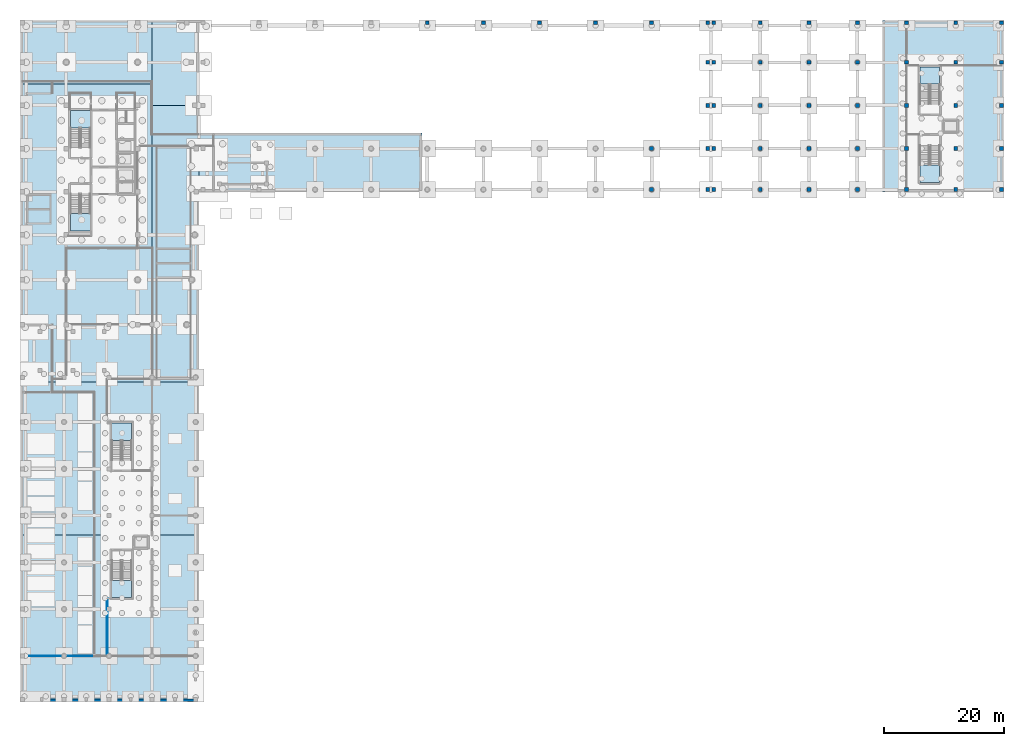
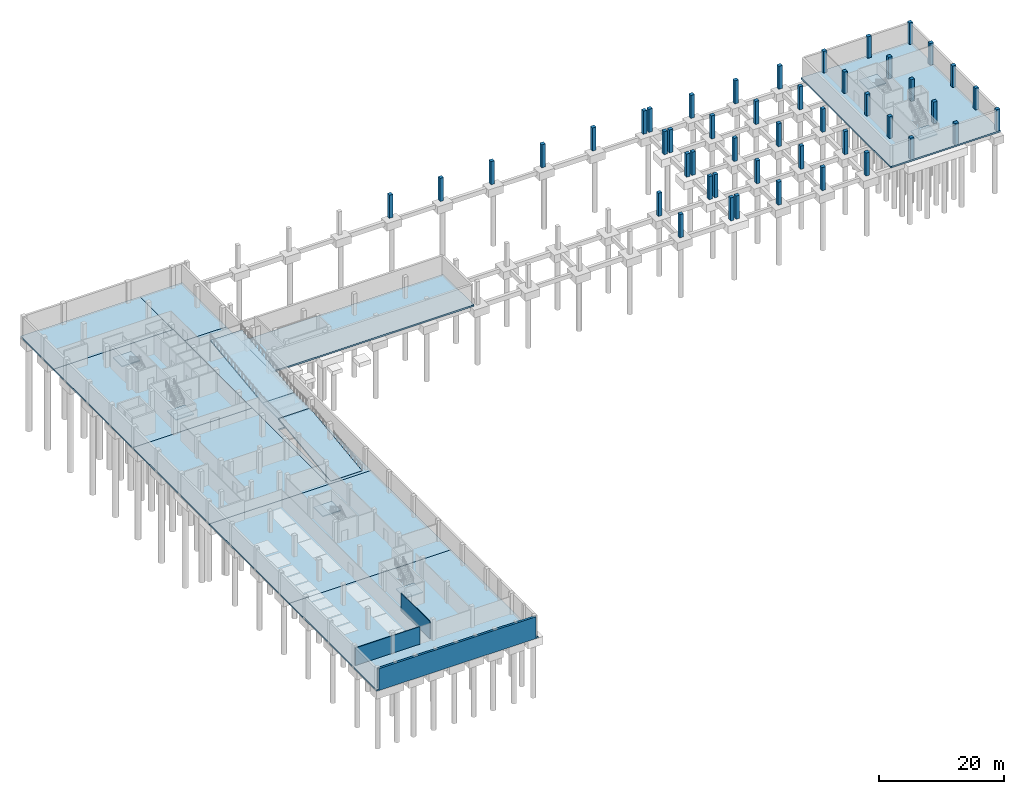
# One storey, part 9 of 21: 47 columns, 18 slabs, 3 walls, 6 elements without a shape of their own.
"""IFC4 building model written with IfcOpenShell, lengths in metres."""

import ifcopenshell
import ifcopenshell.guid

model = None  # the IFC model being written
_history = None  # IfcOwnerHistory: only IFC2X3 demands one
_inside = {}  # id of a spatial element -> (the spatial element, [elements in it])
_under = {}  # id of a project, library or spatial element -> (it, [spatial elements below it])
_declared = {}  # id of a project -> (the project, [libraries it declares])
_typed = {}  # id of a type object -> (the type object, [elements of that type])
_made_of = {}  # id of a material, layer set ... -> (it, [elements and type objects made of it])


def new_model(schema):
    """Start an empty IFC model of exactly this schema.

    Asked for "IFC4X3", IfcOpenShell would pick the latest addendum, in which some entities
    have other attributes; the version numbers below select the first issue.
    IFC2X3 requires an IfcOwnerHistory on every rooted entity: one is made here for all.
    """
    global model, _history
    if schema == "IFC4X3":
        model = ifcopenshell.file(schema_version=(4, 3, 0, 0))
    else:
        model = ifcopenshell.file(schema=schema)
    _inside.clear()
    _under.clear()
    _declared.clear()
    _typed.clear()
    _made_of.clear()
    _history = None
    if model.schema == "IFC2X3":
        org = make("IfcOrganization", Name="unknown")
        user = make(
            "IfcPersonAndOrganization",
            ThePerson=make("IfcPerson", FamilyName="unknown"),
            TheOrganization=org,
        )
        app = make(
            "IfcApplication",
            ApplicationDeveloper=org,
            Version="unknown",
            ApplicationFullName="unknown",
            ApplicationIdentifier="unknown",
        )
        _history = make(
            "IfcOwnerHistory",
            OwningUser=user,
            OwningApplication=app,
            ChangeAction="ADDED",
            CreationDate=0,
        )
    return model


def make(cls, **values):
    """One entity of the class cls with the attributes given. An attribute that is None is left unset."""
    return model.create_entity(
        cls, **{name: value for name, value in values.items() if value is not None}
    )


def rooted(cls, **values):
    """An entity with a GlobalId (a new one), such as an element, a storey or a relation."""
    return make(cls, GlobalId=ifcopenshell.guid.new(), OwnerHistory=_history, **values)


def si_unit(unit_type, name, prefix=None):
    """IfcSIUnit, for example si_unit("LENGTHUNIT", "METRE", prefix="MILLI")."""
    return make("IfcSIUnit", UnitType=unit_type, Prefix=prefix, Name=name)


def assignment(units):
    """IfcUnitAssignment: the units of a project."""
    return None if units is None else make("IfcUnitAssignment", Units=units)


def point(xyz):
    """IfcCartesianPoint."""
    return None if xyz is None else make("IfcCartesianPoint", Coordinates=xyz)


def direction(xyz):
    """IfcDirection."""
    return None if xyz is None else make("IfcDirection", DirectionRatios=xyz)


def frame(location, z_axis=None, x_axis=None):
    """IfcAxis2Placement3D, a coordinate frame: its origin and axes. An axis left out is left unset."""
    return make(
        "IfcAxis2Placement3D",
        Location=point(location),
        Axis=direction(z_axis),
        RefDirection=direction(x_axis),
    )


def frame_2d(location, x_axis=None):
    """IfcAxis2Placement2D, a coordinate frame in the plane: its origin and x axis."""
    return make(
        "IfcAxis2Placement2D", Location=point(location), RefDirection=direction(x_axis)
    )


def origin():
    """The frame at (0, 0, 0) with its axes left unset."""
    return frame((0.0, 0.0, 0.0))


def origin_2d():
    """The frame at (0, 0) in the plane with its x axis left unset."""
    return frame_2d((0.0, 0.0))


def place(relative_to, where):
    """IfcLocalPlacement: puts the frame where relative to a parent placement (None: the world)."""
    return make(
        "IfcLocalPlacement", PlacementRelTo=relative_to, RelativePlacement=where
    )


def context(
    kind, dimensions, precision=None, world=None, true_north=None, identifier=None
):
    """IfcGeometricRepresentationContext, for example the 3D "Model" context."""
    return make(
        "IfcGeometricRepresentationContext",
        ContextIdentifier=identifier,
        ContextType=kind,
        CoordinateSpaceDimension=dimensions,
        Precision=precision,
        WorldCoordinateSystem=world,
        TrueNorth=true_north,
    )


def subcontext(parent, identifier, kind, view, scale=None):
    """IfcGeometricRepresentationSubContext, for example "Body" below "Model"."""
    return make(
        "IfcGeometricRepresentationSubContext",
        ContextIdentifier=identifier,
        ContextType=kind,
        ParentContext=parent,
        TargetScale=scale,
        TargetView=view,
    )


def project(units=None, contexts=None):
    """IfcProject with its units and contexts."""
    return rooted(
        "IfcProject",
        Name="project",
        RepresentationContexts=contexts,
        UnitsInContext=assignment(units),
    )


def spatial(cls, under=None, at=None, **own):
    """A site, building, storey or space (cls), placed at a placement, below another one or the project."""
    s = rooted(cls, ObjectPlacement=at, **own)
    if under is not None:
        _under.setdefault(under.id(), (under, []))[1].append(s)
    return s


def polyline(points):
    """IfcPolyline through the points."""
    return make("IfcPolyline", Points=[point(p) for p in points])


def profile(cls, at=None, kind="AREA", **sizes):
    """A parametric profile (cls). Its sizes go by their IFC names, for example OverallWidth=200.0."""
    return make(cls, ProfileType=kind, Position=at, **sizes)


def rectangle(**sizes):
    """IfcRectangleProfileDef."""
    return profile("IfcRectangleProfileDef", **sizes)


def outline(outer, holes=None, kind="AREA"):
    """IfcArbitraryClosedProfileDef: a profile drawn as a closed curve; with holes, ...WithVoids."""
    if holes is None:
        return make("IfcArbitraryClosedProfileDef", ProfileType=kind, OuterCurve=outer)
    return make(
        "IfcArbitraryProfileDefWithVoids",
        ProfileType=kind,
        OuterCurve=outer,
        InnerCurves=holes,
    )


def extrude(swept, where, along, depth):
    """IfcExtrudedAreaSolid: the profile swept, set in the frame where, extruded along a direction by depth."""
    return make(
        "IfcExtrudedAreaSolid",
        SweptArea=swept,
        Position=where,
        ExtrudedDirection=direction(along),
        Depth=depth,
    )


def shape(context_of_items, identifier, shape_type, items):
    """IfcShapeRepresentation: the items that make up one representation, for example the "Body"."""
    return make(
        "IfcShapeRepresentation",
        ContextOfItems=context_of_items,
        RepresentationIdentifier=identifier,
        RepresentationType=shape_type,
        Items=items,
    )


def material(Name=None, Category=None):
    """IfcMaterial."""
    return make("IfcMaterial", Name=Name, Category=Category)


def layer(
    of_material, thickness, ventilated=None, Name=None, Category=None, Priority=None
):
    """IfcMaterialLayer: one layer of a wall or slab, of a material (None: an air gap)."""
    return make(
        "IfcMaterialLayer",
        Material=of_material,
        LayerThickness=thickness,
        IsVentilated=ventilated,
        Name=Name,
        Category=Category,
        Priority=Priority,
    )


def layer_set(layers, Name=None):
    """IfcMaterialLayerSet."""
    return make("IfcMaterialLayerSet", MaterialLayers=layers, LayerSetName=Name)


def material_profile(
    of_material, cross_section, Name=None, Category=None, Priority=None
):
    """IfcMaterialProfile: a cross section and its material."""
    return make(
        "IfcMaterialProfile",
        Name=Name,
        Material=of_material,
        Profile=cross_section,
        Priority=Priority,
        Category=Category,
    )


def profile_set(profiles, Name=None, composite=None):
    """IfcMaterialProfileSet."""
    return make(
        "IfcMaterialProfileSet",
        Name=Name,
        MaterialProfiles=profiles,
        CompositeProfile=composite,
    )


def made_of(thing, what):
    """Note that an element or type object is made of a material, layer set ...; save() writes the relation."""
    if what is not None:
        _made_of.setdefault(what.id(), (what, []))[1].append(thing)
    return thing


def type_object(cls, material=None, **own):
    """A type object (cls), such as IfcWallType, which elements share."""
    return made_of(rooted(cls, **own), material)


def element(
    cls,
    number,
    at=None,
    inside=None,
    cuts=None,
    type_object=None,
    material=None,
    context=None,
    identifier="Body",
    shape_type=None,
    held_by="IfcProductDefinitionShape",
    body=None,
    shapes=None,
    **own,
):
    """One element of the class cls, such as IfcWall. Its Tag is "e" and its number.

    at: its placement. inside: the storey or other place that contains it. cuts: it is an
    opening in that element (IfcRelVoidsElement). A single representation is given by context,
    identifier, shape_type and body (its items); several are given by shapes. held_by: the class
    of the entity that holds the representations. save() writes the other relations.
    """
    e = rooted(cls, Tag="e%d" % number, ObjectPlacement=at, **own)
    if body is not None:
        shapes = [shape(context, identifier, shape_type, body)]
    if shapes is not None:
        e.Representation = make(held_by, Representations=shapes)
    if inside is not None:
        _inside.setdefault(inside.id(), (inside, []))[1].append(e)
    if cuts is not None:
        rooted(
            "IfcRelVoidsElement", RelatingBuildingElement=cuts, RelatedOpeningElement=e
        )
    if type_object is not None:
        _typed.setdefault(type_object.id(), (type_object, []))[1].append(e)
    return made_of(e, material)


def aggregate(whole, parts):
    """IfcRelAggregates: a whole, such as a stair, and the parts it consists of."""
    return rooted("IfcRelAggregates", RelatingObject=whole, RelatedObjects=parts)


def save(model, path):
    """Write the relations noted so far, then the file.

    IfcRelAggregates (storeys below a building ...), IfcRelContainedInSpatialStructure (elements
    in a storey), IfcRelDefinesByType, IfcRelAssociatesMaterial and IfcRelDeclares: one each for
    every whole, place, type object, material and project.
    """
    for whole, parts in _under.values():
        aggregate(whole, parts)
    for where, things in _inside.values():
        rooted(
            "IfcRelContainedInSpatialStructure",
            RelatedElements=things,
            RelatingStructure=where,
        )
    for kind, things in _typed.values():
        rooted("IfcRelDefinesByType", RelatedObjects=things, RelatingType=kind)
    for what, things in _made_of.values():
        rooted("IfcRelAssociatesMaterial", RelatedObjects=things, RelatingMaterial=what)
    for by, libraries in _declared.values():
        rooted("IfcRelDeclares", RelatingContext=by, RelatedDefinitions=libraries)
    model.write(path)


model = new_model("IFC4")

# Units and contexts
model_context = context("Model", 3, precision=1e-05, world=origin(), true_north=direction((0.0, 1.0)))
body_context = subcontext(model_context, "Body", "Model", "MODEL_VIEW")
ifc_project = project(units=[si_unit("LENGTHUNIT", "METRE"), si_unit("AREAUNIT", "SQUARE_METRE"), si_unit("VOLUMEUNIT", "CUBIC_METRE"), si_unit("PLANEANGLEUNIT", "RADIAN"), si_unit("MASSUNIT", "GRAM", prefix="KILO")], contexts=[model_context])

# Site, building, storey
site_placement = place(None, origin())
site = spatial("IfcSite", under=ifc_project, at=site_placement, CompositionType="ELEMENT")
building_placement = place(site_placement, origin())
building = spatial("IfcBuilding", under=site, at=building_placement, Name="Quillay Park Conservatory", CompositionType="ELEMENT")
storey_placement = place(building_placement, frame((0.0, 0.0, -8.39990234375)))
storey = spatial("IfcBuildingStorey", under=building, at=storey_placement, Name="B2", CompositionType="ELEMENT", Elevation=-8.39990234375)

# Columns
ifc_material_1 = material(Name="Concrete C40/50 (NCh170 Concrete C40/50)", Category="concrete")
ifc_material_profile = material_profile(ifc_material_1, rectangle(XDim=0.64990234375, YDim=0.64990234375, at=origin_2d()), Name="RC650x650")
ifc_profile_set = profile_set([ifc_material_profile], Name="Concrete C40/50 (NCh170 Concrete C40/50)")
column_type = type_object("IfcColumnType", Name="REINFORCED CONCRETE COLUMN 650", PredefinedType="COLUMN", material=ifc_profile_set)
for number, where, z_axis, x_axis, name in (
    (1, (68.072265625, 113.39990234375, -0.300048828125), (0.0, 0.0, 1.0), (1.0, 0.0, 0.0), "B2 column COL-V1-B2-4-2"),
    (2, (77.427734375, 113.39990234375, -0.300048828125), (0.0, 0.0, 1.0), (1.0, 0.0, 0.0), "B2 column COL-V1-B2-5-2"),
    (3, (86.783203125, 113.39990234375, -0.300048828125), (0.0, 0.0, 1.0), (1.0, 0.0, 0.0), "B2 column COL-V1-B2-6-2"),
    (4, (96.138916015625, 113.39990234375, -0.300048828125), (0.0, 0.0, 1.0), (1.0, 0.0, 0.0), "B2 column COL-V1-B2-7-2"),
    (5, (105.494384765625, 85.550048828125, -0.300048828125), (0.0, 0.0, 1.0), (1.0, 0.0, 0.0), "B2 column COL-V1-B2-8-0"),
    (6, (105.494384765625, 92.39990234375, -0.300048828125), (0.0, 0.0, 1.0), (1.0, 0.0, 0.0), "B2 column COL-V1-B2-8-1"),
    (7, (105.494384765625, 113.39990234375, -0.300048828125), (0.0, 0.0, 1.0), (1.0, 0.0, 0.0), "B2 column COL-V1-B2-8-2"),
    (8, (114.85009765625, 85.550048828125, -0.300048828125), (0.0, 0.0, 1.0), (1.0, 0.0, 0.0), "B2 column COL-V1-B2-9-0"),
    (9, (114.85009765625, 92.39990234375, -0.300048828125), (0.0, 0.0, 1.0), (1.0, 0.0, 0.0), "B2 column COL-V1-B2-9-1"),
    (10, (114.85009765625, 113.39990234375, -0.300048828125), (0.0, 0.0, 1.0), (1.0, 0.0, 0.0), "B2 column COL-V1-B2-9-2"),
    (11, (114.85009765625, 99.60009765625, -0.300048828125), (0.0, 0.0, 1.0), (1.0, 0.0, 0.0), "B2 column COL-V1E-B2-E-0"),
    (12, (114.85009765625, 106.800048828125, -0.300048828125), (0.0, 0.0, 1.0), (1.0, 0.0, 0.0), "B2 column COL-V1E-B2-E-1"),
    (13, (115.85009765625, 85.550048828125, -0.300048828125), (0.0, 0.0, 1.0), (1.0, 0.0, 0.0), "B2 column COL-V2-B2-0-0"),
    (14, (115.85009765625, 92.39990234375, -0.300048828125), (0.0, 0.0, 1.0), (1.0, 0.0, 0.0), "B2 column COL-V2-B2-0-1"),
    (15, (115.85009765625, 99.60009765625, -0.300048828125), (0.0, 0.0, 1.0), (1.0, 0.0, 0.0), "B2 column COL-V2-B2-0-2"),
    (16, (115.85009765625, 106.800048828125, -0.300048828125), (0.0, 0.0, 1.0), (1.0, 0.0, 0.0), "B2 column COL-V2-B2-0-3"),
    (17, (115.85009765625, 113.39990234375, -0.300048828125), (0.0, 0.0, 1.0), (1.0, 0.0, 0.0), "B2 column COL-V2-B2-0-4"),
    (18, (123.60009765625, 85.550048828125, -0.300048828125), (0.0, 0.0, 1.0), (1.0, 0.0, 0.0), "B2 column COL-V2-B2-1-0"),
    (19, (123.60009765625, 92.39990234375, -0.300048828125), (0.0, 0.0, 1.0), (1.0, 0.0, 0.0), "B2 column COL-V2-B2-1-1"),
    (20, (123.60009765625, 99.60009765625, -0.300048828125), (0.0, 0.0, 1.0), (1.0, 0.0, 0.0), "B2 column COL-V2-B2-1-2"),
    (21, (123.60009765625, 106.800048828125, -0.300048828125), (0.0, 0.0, 1.0), (1.0, 0.0, 0.0), "B2 column COL-V2-B2-1-3"),
    (22, (123.60009765625, 113.39990234375, -0.300048828125), (0.0, 0.0, 1.0), (1.0, 0.0, 0.0), "B2 column COL-V2-B2-1-4"),
    (23, (131.699951171875, 85.550048828125, -0.300048828125), (0.0, 0.0, 1.0), (1.0, 0.0, 0.0), "B2 column COL-V2-B2-2-0"),
    (24, (131.699951171875, 92.39990234375, -0.300048828125), (0.0, 0.0, 1.0), (1.0, 0.0, 0.0), "B2 column COL-V2-B2-2-1"),
    (25, (131.699951171875, 99.60009765625, -0.300048828125), (0.0, 0.0, 1.0), (1.0, 0.0, 0.0), "B2 column COL-V2-B2-2-2"),
    (26, (131.699951171875, 106.800048828125, -0.300048828125), (0.0, 0.0, 1.0), (1.0, 0.0, 0.0), "B2 column COL-V2-B2-2-3"),
    (27, (131.699951171875, 113.39990234375, -0.300048828125), (0.0, 0.0, 1.0), (1.0, 0.0, 0.0), "B2 column COL-V2-B2-2-4"),
    (28, (139.800048828125, 85.550048828125, -0.300048828125), (0.0, 0.0, 1.0), (1.0, 0.0, 0.0), "B2 column COL-V2-B2-3-0"),
    (29, (139.800048828125, 92.39990234375, -0.300048828125), (0.0, 0.0, 1.0), (1.0, 0.0, 0.0), "B2 column COL-V2-B2-3-1"),
    (30, (139.800048828125, 99.60009765625, -0.300048828125), (0.0, 0.0, 1.0), (1.0, 0.0, 0.0), "B2 column COL-V2-B2-3-2"),
    (31, (139.800048828125, 106.800048828125, -0.300048828125), (0.0, 0.0, 1.0), (1.0, 0.0, 0.0), "B2 column COL-V2-B2-3-3"),
    (32, (139.800048828125, 113.39990234375, -0.300048828125), (0.0, 0.0, 1.0), (1.0, 0.0, 0.0), "B2 column COL-V2-B2-3-4"),
    (33, (148.0, 85.550048828125, -0.300048828125), (0.0, 0.0, 1.0), (1.0, 0.0, 0.0), "B2 column COL-V2-B2-4-0"),
    (34, (148.0, 92.39990234375, -0.300048828125), (0.0, 0.0, 1.0), (1.0, 0.0, 0.0), "B2 column COL-V2-B2-4-1"),
    (35, (148.0, 99.60009765625, -0.300048828125), (0.0, 0.0, 1.0), (1.0, 0.0, 0.0), "B2 column COL-V2-B2-4-2"),
    (36, (148.0, 106.800048828125, -0.300048828125), (0.0, 0.0, 1.0), (1.0, 0.0, 0.0), "B2 column COL-V2-B2-4-3"),
    (37, (148.0, 113.39990234375, -0.300048828125), (0.0, 0.0, 1.0), (1.0, 0.0, 0.0), "B2 column COL-V2-B2-4-4"),
    (38, (156.199951171875, 85.550048828125, -0.300048828125), (0.0, 0.0, 1.0), (1.0, 0.0, 0.0), "B2 column COL-V2-B2-5-0"),
    (39, (156.199951171875, 92.39990234375, -0.300048828125), (0.0, 0.0, 1.0), (1.0, 0.0, 0.0), "B2 column COL-V2-B2-5-1"),
    (40, (156.199951171875, 99.60009765625, -0.300048828125), (0.0, 0.0, 1.0), (1.0, 0.0, 0.0), "B2 column COL-V2-B2-5-2"),
    (41, (156.199951171875, 106.800048828125, -0.300048828125), (0.0, 0.0, 1.0), (1.0, 0.0, 0.0), "B2 column COL-V2-B2-5-3"),
    (42, (156.199951171875, 113.39990234375, -0.300048828125), (0.0, 0.0, 1.0), (1.0, 0.0, 0.0), "B2 column COL-V2-B2-5-4"),
    (43, (163.85009765625, 85.550048828125, -0.300048828125), (0.0, 0.0, 1.0), (1.0, 0.0, 0.0), "B2 column COL-V2-B2-6-0"),
    (44, (163.85009765625, 92.39990234375, -0.300048828125), (0.0, 0.0, 1.0), (1.0, 0.0, 0.0), "B2 column COL-V2-B2-6-1"),
    (45, (163.85009765625, 99.60009765625, -0.300048828125), (0.0, 0.0, 1.0), (1.0, 0.0, 0.0), "B2 column COL-V2-B2-6-2"),
    (46, (163.85009765625, 106.800048828125, -0.300048828125), (0.0, 0.0, 1.0), (1.0, 0.0, 0.0), "B2 column COL-V2-B2-6-3"),
    (47, (163.85009765625, 113.39990234375, -0.300048828125), (0.0, 0.0, 1.0), (1.0, 0.0, 0.0), "B2 column COL-V2-B2-6-4"),
):
    element("IfcColumn", number, at=place(storey_placement, frame(where, z_axis=z_axis, x_axis=x_axis)), inside=storey, type_object=column_type, Name=name, PredefinedType="COLUMN", context=body_context, shape_type="SweptSolid", body=[
        extrude(rectangle(XDim=0.64990234375, YDim=0.64990234375, at=origin_2d()), origin(), (0.0, 0.0, 1.0), 4.5),
    ])

# Slabs
ifc_material_2 = material(Name="Concrete C35/45 (NCh170 Concrete C35/45)", Category="concrete")
ifc_layer_1 = layer(ifc_material_2, 0.300048828125)
ifc_layer_set_1 = layer_set([ifc_layer_1], Name="MAT BASE SLAB 300 (Concrete C35/45 (NCh170 Concrete C35/45))")
slab_type_1 = type_object("IfcSlabType", Name="MAT BASE SLAB 300", PredefinedType="BASESLAB", material=ifc_layer_set_1)
slab_1_placement = place(storey_placement, frame((0.0, 0.0, -0.300048828125)))
element("IfcSlab", 48, at=slab_1_placement, inside=storey, type_object=slab_type_1, Name="B2 slab SLB-B2-W1", PredefinedType="BASESLAB", context=body_context, shape_type="SweptSolid", body=[
    extrude(outline(polyline([(0.25, 0.199951171875), (30.0, 0.199951171875), (30.0, 28.0), (0.25, 28.0), (0.25, 0.199951171875)])), origin(), (0.0, 0.0, 1.0), 0.300048828125),
])
slab_2_placement = place(storey_placement, frame((0.0, 0.0, -0.300048828125)))
element("IfcSlab", 49, at=slab_2_placement, inside=storey, type_object=slab_type_1, Name="B2 slab SLB-B2-W2", PredefinedType="BASESLAB", context=body_context, shape_type="SweptSolid", body=[
    extrude(outline(polyline([(0.25, 28.0), (30.0, 28.0), (30.0, 53.5), (0.25, 53.5), (0.25, 28.0)])), origin(), (0.0, 0.0, 1.0), 0.300048828125),
])
slab_3_placement = place(storey_placement, frame((0.0, 0.0, -0.300048828125)))
element("IfcSlab", 50, at=slab_3_placement, inside=storey, type_object=slab_type_1, Name="B2 slab SLB-B2-W3", PredefinedType="BASESLAB", context=body_context, shape_type="SweptSolid", body=[
    extrude(outline(polyline([(0.25, 53.5), (22.199951171875, 53.5), (22.199951171875, 78.0), (0.25, 78.0), (0.25, 53.5)])), origin(), (0.0, 0.0, 1.0), 0.300048828125),
])
slab_4_placement = place(storey_placement, frame((0.0, 0.0, -0.300048828125)))
element("IfcSlab", 51, at=slab_4_placement, inside=storey, type_object=slab_type_1, Name="B2 slab SLB-B2-W4", PredefinedType="BASESLAB", context=body_context, shape_type="SweptSolid", body=[
    extrude(outline(polyline([(0.25, 78.0), (22.199951171875, 78.0), (22.199951171875, 103.199951171875), (0.25, 103.199951171875), (0.25, 78.0)])), origin(), (0.0, 0.0, 1.0), 0.300048828125),
])
slab_5_placement = place(storey_placement, frame((0.0, 0.0, -0.300048828125)))
element("IfcSlab", 52, at=slab_5_placement, inside=storey, type_object=slab_type_1, Name="B2 slab SLB-B2-W5", PredefinedType="BASESLAB", context=body_context, shape_type="SweptSolid", body=[
    extrude(outline(polyline([(0.25, 103.199951171875), (22.199951171875, 103.199951171875), (22.199951171875, 113.800048828125), (0.25, 113.800048828125), (0.25, 103.199951171875)])), origin(), (0.0, 0.0, 1.0), 0.300048828125),
])
slab_6_placement = place(storey_placement, frame((0.0, 0.0, -0.300048828125)))
element("IfcSlab", 53, at=slab_6_placement, inside=storey, type_object=slab_type_1, Name="B2 slab SLB-B2-W6", PredefinedType="BASESLAB", context=body_context, shape_type="SweptSolid", body=[
    extrude(outline(polyline([(22.199951171875, 53.5), (30.0, 53.5), (30.0, 99.60009765625), (22.199951171875, 99.60009765625), (22.199951171875, 53.5)]), holes=[polyline([(22.89990234375, 54.10009765625), (28.699951171875, 54.10009765625), (28.699951171875, 70.800048828125), (22.89990234375, 70.800048828125), (22.89990234375, 54.10009765625)])]), origin(), (0.0, 0.0, 1.0), 0.300048828125),
])
slab_7_placement = place(storey_placement, frame((0.0, 0.0, -0.300048828125)))
element("IfcSlab", 54, at=slab_7_placement, inside=storey, type_object=slab_type_1, Name="B2 slab SLB-B2-W7", PredefinedType="BASESLAB", context=body_context, shape_type="SweptSolid", body=[
    extrude(outline(polyline([(22.199951171875, 99.60009765625), (30.0, 99.60009765625), (30.0, 113.800048828125), (22.199951171875, 113.800048828125), (22.199951171875, 99.60009765625)])), origin(), (0.0, 0.0, 1.0), 0.300048828125),
])
slab_8_placement = place(storey_placement, frame((0.0, 0.0, -0.300048828125)))
element("IfcSlab", 55, at=slab_8_placement, inside=storey, type_object=slab_type_1, Name="B2 slab SLB-B2-N1", PredefinedType="BASESLAB", context=body_context, shape_type="SweptSolid", body=[
    extrude(outline(polyline([(30.0, 85.199951171875), (67.199951171875, 85.199951171875), (67.199951171875, 95.0), (30.0, 95.0), (30.0, 85.199951171875)])), origin(), (0.0, 0.0, 1.0), 0.300048828125),
])
slab_9_placement = place(storey_placement, frame((0.0, 0.0, -0.300048828125)))
element("IfcSlab", 56, at=slab_9_placement, inside=storey, type_object=slab_type_1, Name="B2 slab SLB-B2-N2", PredefinedType="BASESLAB", context=body_context, shape_type="SweptSolid", body=[
    extrude(outline(polyline([(144.0, 85.199951171875), (164.199951171875, 85.199951171875), (164.199951171875, 113.800048828125), (144.0, 113.800048828125), (144.0, 85.199951171875)])), origin(), (0.0, 0.0, 1.0), 0.300048828125),
])
ifc_material_3 = material(Name="Concrete C35/45 (NCh170 Concrete C35/45)", Category="concrete")
ifc_layer_2 = layer(ifc_material_3, 0.25)
ifc_layer_set_2 = layer_set([ifc_layer_2], Name="RAMP LANDING SLAB 250 (Concrete C35/45 (NCh170 Concrete C35/45))")
slab_type_2 = type_object("IfcSlabType", Name="RAMP LANDING SLAB 250", PredefinedType="LANDING", material=ifc_layer_set_2)
slab_10_placement = place(storey_placement, frame((0.0, 0.0, 1.81982421875)))
element("IfcSlab", 57, at=slab_10_placement, inside=storey, type_object=slab_type_2, Name="Vehicle Fleet Ramp R2 Mid-Landing Slab", PredefinedType="LANDING", context=body_context, shape_type="SweptSolid", body=[
    extrude(outline(polyline([(22.89990234375, 70.800048828125), (28.699951171875, 70.800048828125), (28.699951171875, 75.800048828125), (22.89990234375, 75.800048828125), (22.89990234375, 70.800048828125)])), origin(), (0.0, 0.0, 1.0), 0.280029296875),
])

# Stair, slab
ifc_material_4 = material(Name="Concrete C35/45 (NCh170 Concrete C35/45)", Category="concrete")
stair_type = type_object("IfcStairType", Name="ENCLOSED DOG LEG STAIR 4200", PredefinedType="HALF_TURN_STAIR", material=ifc_material_4)
stair_1_placement = place(storey_placement, origin())
stair_1 = element("IfcStair", 58, at=stair_1_placement, inside=storey, type_object=stair_type, Name="B2 Tower Protected Exit Stair 1", PredefinedType="HALF_TURN_STAIR")
ifc_material_5 = material(Name="Concrete C35/45 (NCh170 Concrete C35/45)", Category="concrete")
ifc_layer_3 = layer(ifc_material_5, 0.199951171875)
ifc_layer_set_3 = layer_set([ifc_layer_3], Name="STAIR LANDING SLAB 200 (Concrete C35/45 (NCh170 Concrete C35/45))")
slab_type_3 = type_object("IfcSlabType", Name="STAIR LANDING SLAB 200", PredefinedType="LANDING", material=ifc_layer_set_3)
slab_11_placement = place(storey_placement, frame((0.0, 0.0, 1.89990234375)))
slab_11 = element("IfcSlab", 59, at=slab_11_placement, type_object=slab_type_3, Name="ST-T1 landing 1", PredefinedType="LANDING", context=body_context, shape_type="SweptSolid", body=[
    extrude(outline(polyline([(11.8701171875, 95.85009765625), (11.8701171875, 98.75), (8.550048828125, 98.75), (8.550048828125, 95.85009765625), (11.8701171875, 95.85009765625)])), origin(), (0.0, 0.0, 1.0), 0.199951171875),
])
aggregate(stair_1, [slab_11])

stair_2_placement = place(storey_placement, origin())
stair_2 = element("IfcStair", 60, at=stair_2_placement, inside=storey, type_object=stair_type, Name="B2 Tower Protected Exit Stair 2", PredefinedType="HALF_TURN_STAIR")
slab_12_placement = place(storey_placement, frame((0.0, 0.0, 1.89990234375)))
slab_12 = element("IfcSlab", 61, at=slab_12_placement, type_object=slab_type_3, Name="ST-T2 landing 1", PredefinedType="LANDING", context=body_context, shape_type="SweptSolid", body=[
    extrude(outline(polyline([(8.550048828125, 81.550048828125), (8.550048828125, 78.64990234375), (11.8701171875, 78.64990234375), (11.8701171875, 81.550048828125), (8.550048828125, 81.550048828125)])), origin(), (0.0, 0.0, 1.0), 0.199951171875),
])
aggregate(stair_2, [slab_12])

stair_3_placement = place(storey_placement, origin())
stair_3 = element("IfcStair", 62, at=stair_3_placement, inside=storey, type_object=stair_type, Name="B2 Visitor Centre Exit Stair 1", PredefinedType="HALF_TURN_STAIR")
slab_13_placement = place(storey_placement, frame((0.0, 0.0, 1.89990234375)))
slab_13 = element("IfcSlab", 63, at=slab_13_placement, type_object=slab_type_3, Name="ST-V1 landing 1", PredefinedType="LANDING", context=body_context, shape_type="SweptSolid", body=[
    extrude(outline(polyline([(15.449951171875, 20.39990234375), (15.449951171875, 17.5), (18.77001953125, 17.5), (18.77001953125, 20.39990234375), (15.449951171875, 20.39990234375)])), origin(), (0.0, 0.0, 1.0), 0.199951171875),
])
aggregate(stair_3, [slab_13])

stair_4_placement = place(storey_placement, origin())
stair_4 = element("IfcStair", 64, at=stair_4_placement, inside=storey, type_object=stair_type, Name="B2 Visitor Centre Exit Stair 2", PredefinedType="HALF_TURN_STAIR")
slab_14_placement = place(storey_placement, frame((0.0, 0.0, 1.89990234375)))
slab_14 = element("IfcSlab", 65, at=slab_14_placement, type_object=slab_type_3, Name="ST-V2 landing 1", PredefinedType="LANDING", context=body_context, shape_type="SweptSolid", body=[
    extrude(outline(polyline([(18.77001953125, 43.75), (18.77001953125, 46.64990234375), (15.449951171875, 46.64990234375), (15.449951171875, 43.75), (18.77001953125, 43.75)])), origin(), (0.0, 0.0, 1.0), 0.199951171875),
])
aggregate(stair_4, [slab_14])

stair_5_placement = place(storey_placement, origin())
stair_5 = element("IfcStair", 66, at=stair_5_placement, inside=storey, type_object=stair_type, Name="B2 Auditorium Exit Stair 1", PredefinedType="HALF_TURN_STAIR")
slab_15_placement = place(storey_placement, frame((0.0, 0.0, 1.89990234375)))
slab_15 = element("IfcSlab", 67, at=slab_15_placement, type_object=slab_type_3, Name="ST-A1 landing 1", PredefinedType="LANDING", context=body_context, shape_type="SweptSolid", body=[
    extrude(outline(polyline([(150.199951171875, 89.64990234375), (150.199951171875, 86.75), (153.52001953125, 86.75), (153.52001953125, 89.64990234375), (150.199951171875, 89.64990234375)])), origin(), (0.0, 0.0, 1.0), 0.199951171875),
])
aggregate(stair_5, [slab_15])

stair_6_placement = place(storey_placement, origin())
stair_6 = element("IfcStair", 68, at=stair_6_placement, inside=storey, type_object=stair_type, Name="B2 Auditorium Exit Stair 2", PredefinedType="HALF_TURN_STAIR")
slab_16_placement = place(storey_placement, frame((0.0, 0.0, 1.89990234375)))
slab_16 = element("IfcSlab", 69, at=slab_16_placement, type_object=slab_type_3, Name="ST-A2 landing 1", PredefinedType="LANDING", context=body_context, shape_type="SweptSolid", body=[
    extrude(outline(polyline([(153.52001953125, 103.14990234375), (153.52001953125, 106.050048828125), (150.199951171875, 106.050048828125), (150.199951171875, 103.14990234375), (153.52001953125, 103.14990234375)])), origin(), (0.0, 0.0, 1.0), 0.199951171875),
])
aggregate(stair_6, [slab_16])

# Slabs
ifc_material_6 = material(Name="Concrete C35/45 (NCh170 Concrete C35/45)", Category="concrete")
ifc_layer_4 = layer(ifc_material_6, 0.260009765625)
ifc_layer_set_4 = layer_set([ifc_layer_4], Name="VEHICLE RAMP SLAB 260 (Concrete C35/45 (NCh170 Concrete C35/45))")
slab_type_4 = type_object("IfcSlabType", Name="VEHICLE RAMP SLAB 260", PredefinedType="FLOOR", material=ifc_layer_set_4)
slab_17_placement = place(storey_placement, frame((22.89990234375, 75.820068359375, 2.099853515625), z_axis=(0.0, -0.125067182444, 0.992148275146), x_axis=(1.0, 0.0, 0.0)))
element("IfcSlab", 70, at=slab_17_placement, inside=storey, type_object=slab_type_4, Name="Vehicle Fleet Ramp R2 Structural Slab RF2-F1", PredefinedType="FLOOR", context=body_context, shape_type="SweptSolid", body=[
    extrude(outline(polyline([(0.0, 0.0), (2.900146484375, 0.0), (5.800048828125, 0.0), (5.800048828125, 8.395757068213818), (5.800048828125, 16.79175636012762), (2.900146484375, 16.79175636012762), (0.0, 16.79175636012762), (0.0, 8.395757068213818), (0.0, 0.0)])), origin(), (0.0, 0.0, -1.0), 0.260009765625),
])
slab_18_placement = place(storey_placement, frame((22.89990234375, 54.1201171875, 0.0), z_axis=(0.0, -0.125052870512, 0.99215007916), x_axis=(1.0, 0.0, 0.0)))
element("IfcSlab", 71, at=slab_18_placement, inside=storey, type_object=slab_type_4, Name="Vehicle Fleet Ramp R2 Structural Slab RF2-F2", PredefinedType="FLOOR", context=body_context, shape_type="SweptSolid", body=[
    extrude(outline(polyline([(0.0, 0.0), (2.900146484375, 0.0), (5.800048828125, 0.0), (5.800048828125, 8.395726536634104), (5.800048828125, 16.791725827894595), (2.900146484375, 16.791725827894595), (0.0, 16.791725827894595), (0.0, 8.395726536634104), (0.0, 0.0)])), origin(), (0.0, 0.0, -1.0), 0.260009765625),
])

# Walls
ifc_material_7 = material(Name="Steel-Stud Acoustic Gypsum Board Partition", Category="steel")
ifc_layer_5 = layer(ifc_material_7, 0.1201171875)
ifc_layer_set_5 = layer_set([ifc_layer_5], Name="ACOUSTIC GYPSUM PARTITION 120 (Steel-Stud Acoustic Gypsum Board Partition)")
wall_type_1 = type_object("IfcWallType", Name="ACOUSTIC GYPSUM PARTITION 120", PredefinedType="PARTITIONING", material=ifc_layer_set_5)
wall_1_placement = place(storey_placement, frame((0.64990234375, 7.800048828125, 0.0), z_axis=(0.0, 0.0, 1.0), x_axis=(1.0, 0.0, 0.0)))
element("IfcWall", 72, at=wall_1_placement, inside=storey, type_object=wall_type_1, Name="B2 Cistern North Wall W", PredefinedType="PARTITIONING", context=body_context, shape_type="SweptSolid", body=[
    extrude(rectangle(XDim=11.900146484375, YDim=0.1201171875, at=frame_2d((5.9501953125, 0.0))), origin(), (0.0, 0.0, 1.0), 3.410888671875),
])
ifc_material_8 = material(Name="Steel-Stud Acoustic Gypsum Board Partition", Category="steel")
ifc_layer_6 = layer(ifc_material_8, 0.1298828125)
ifc_layer_set_6 = layer_set([ifc_layer_6], Name="ACOUSTIC GYPSUM PARTITION 130 (Steel-Stud Acoustic Gypsum Board Partition)")
wall_type_2 = type_object("IfcWallType", Name="ACOUSTIC GYPSUM PARTITION 130", PredefinedType="PARTITIONING", material=ifc_layer_set_6)
wall_2_placement = place(storey_placement, frame((14.679931640625, 8.1201171875, 0.0), z_axis=(0.0, 0.0, 1.0), x_axis=(0.0, 1.0, 0.0)))
element("IfcWall", 73, at=wall_2_placement, inside=storey, type_object=wall_type_2, Name="B2 South Spine East Wall 1", PredefinedType="PARTITIONING", context=body_context, shape_type="SweptSolid", body=[
    extrude(rectangle(XDim=9.259765625, YDim=0.1298828125, at=frame_2d((4.6298828125, 0.0))), origin(), (0.0, 0.0, 1.0), 3.410888671875),
])
ifc_material_9 = material(Name="Concrete C35/45 (NCh170 Concrete C35/45)", Category="concrete")
ifc_layer_7 = layer(ifc_material_9, 0.39990234375)
ifc_layer_set_7 = layer_set([ifc_layer_7], Name="RETAINING WALL 400 (Concrete C35/45 (NCh170 Concrete C35/45))")
wall_type_3 = type_object("IfcWallType", Name="RETAINING WALL 400", PredefinedType="USERDEFINED", material=ifc_layer_set_7)
wall_3_placement = place(storey_placement, frame((29.60009765625, 0.39990234375, -0.300048828125), z_axis=(0.0, 0.0, 1.0), x_axis=(-1.0, 0.0, 0.0)))
element("IfcWall", 74, at=wall_3_placement, inside=storey, type_object=wall_type_3, Name="B2 Perimeter Retaining Wall 08", ObjectType="RETAINING WALL", PredefinedType="USERDEFINED", context=body_context, shape_type="SweptSolid", body=[
    extrude(rectangle(XDim=28.9501953125, YDim=0.39990234375, at=frame_2d((14.47509765625, 0.0))), origin(), (0.0, 0.0, 1.0), 4.260009765625),
])

save(model, "model.ifc")
